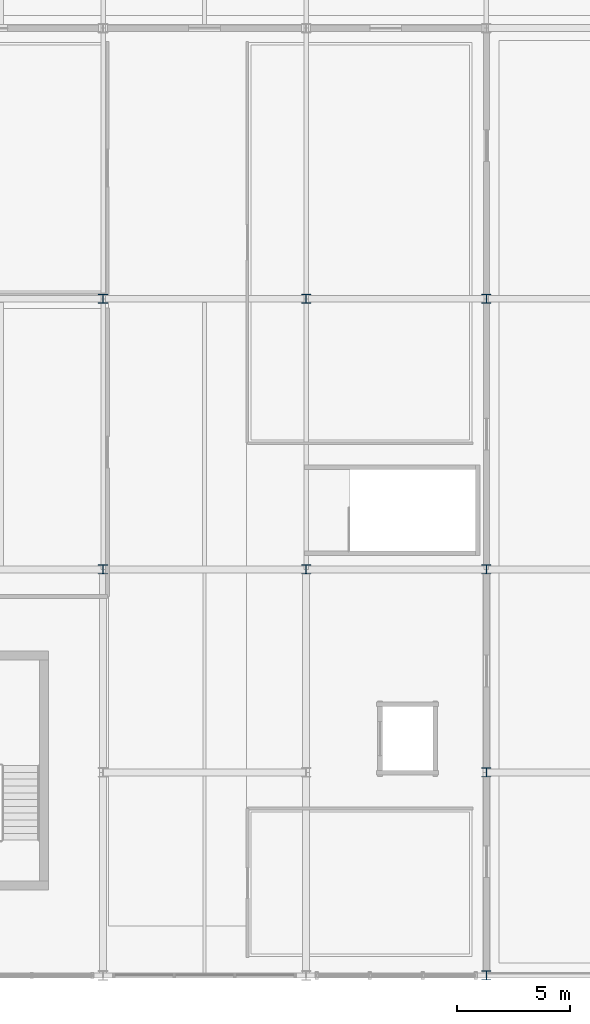
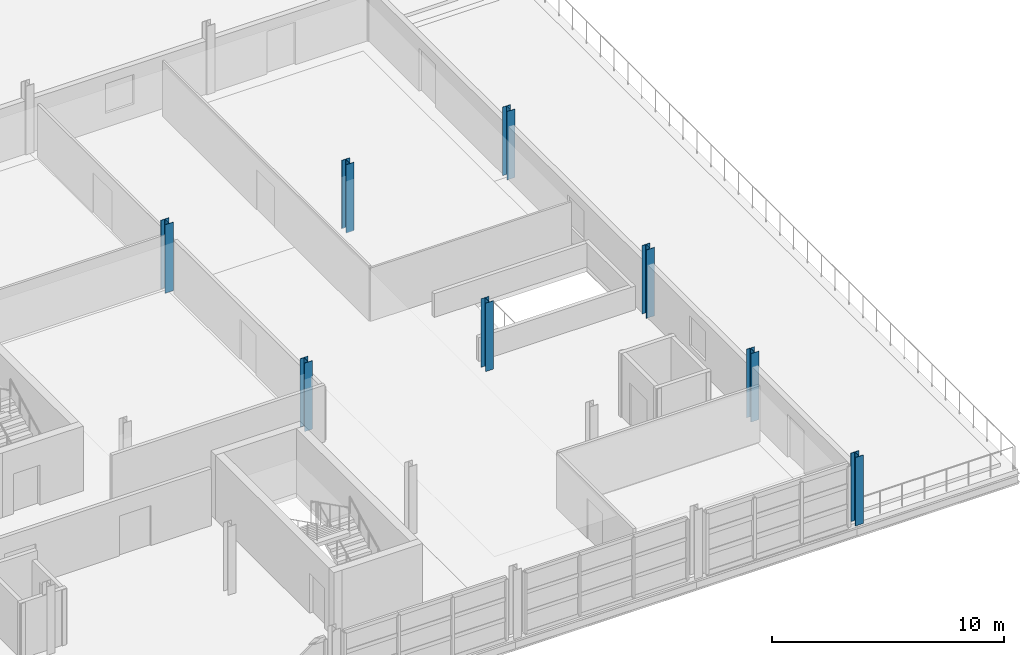
# One storey, part 13 of 116: 8 columns.
"""IFC4 building model written with IfcOpenShell, lengths in metres."""

from ifc_helpers import new_model, si_unit, direction, frame, origin, origin_2d, place, context, subcontext, project, spatial, i_section, extrude, material, material_profile, profile_set, type_object, element, save


model = new_model("IFC4")

# Units and contexts
model_context = context("Model", 3, precision=1e-05, world=origin(), true_north=direction((0.0, 1.0)))
body_context = subcontext(model_context, "Body", "Model", "MODEL_VIEW")
ifc_project = project(units=[si_unit("LENGTHUNIT", "METRE"), si_unit("AREAUNIT", "SQUARE_METRE"), si_unit("VOLUMEUNIT", "CUBIC_METRE"), si_unit("PLANEANGLEUNIT", "RADIAN"), si_unit("MASSUNIT", "GRAM", prefix="KILO")], contexts=[model_context])

# Site, building, storey
site_placement = place(None, origin())
site = spatial("IfcSite", under=ifc_project, at=site_placement, CompositionType="ELEMENT")
building_placement = place(site_placement, origin())
building = spatial("IfcBuilding", under=site, at=building_placement, Name="Chuanluo Vaults Station", CompositionType="ELEMENT")
storey_placement = place(building_placement, frame((0.0, 0.0, 10.800048828125)))
storey = spatial("IfcBuildingStorey", under=building, at=storey_placement, Name="L02", CompositionType="ELEMENT", Elevation=10.800048828125)

# Columns
ifc_material = material(Name="Steel Q355C", Category="steel")
ifc_material_profile = material_profile(ifc_material, i_section(OverallWidth=0.39990234375, OverallDepth=0.39990234375, WebThickness=0.012939453125, FlangeThickness=0.02099609375, FilletRadius=0.02197265625, at=origin_2d()))
ifc_profile_set = profile_set([ifc_material_profile], Name="Steel Q355C")
column_type = type_object("IfcColumnType", Name="COL-STL-HW400", PredefinedType="COLUMN", material=ifc_profile_set)
for number, where, z_axis, x_axis, name in (
    (1, (163.0, 18.0, 0.0), (0.0, 0.0, 1.0), (1.0, 0.0, 0.0), "Column L02-125"),
    (2, (163.0, 30.0, 0.0), (0.0, 0.0, 1.0), (1.0, 0.0, 0.0), "Column L02-126"),
    (3, (172.0, 18.0, 0.0), (0.0, 0.0, 1.0), (1.0, 0.0, 0.0), "Column L02-138"),
    (4, (172.0, 30.0, 0.0), (0.0, 0.0, 1.0), (1.0, 0.0, 0.0), "Column L02-139"),
    (5, (180.0, 0.0, 0.0), (0.0, 0.0, 1.0), (1.0, 0.0, 0.0), "Column L02-149"),
    (6, (180.0, 9.0, 0.0), (0.0, 0.0, 1.0), (1.0, 0.0, 0.0), "Column L02-150"),
    (7, (180.0, 18.0, 0.0), (0.0, 0.0, 1.0), (1.0, 0.0, 0.0), "Column L02-151"),
    (8, (180.0, 30.0, 0.0), (0.0, 0.0, 1.0), (1.0, 0.0, 0.0), "Column L02-152"),
):
    element("IfcColumn", number, at=place(storey_placement, frame(where, z_axis=z_axis, x_axis=x_axis)), inside=storey, type_object=column_type, Name=name, PredefinedType="COLUMN", context=body_context, shape_type="SweptSolid", body=[
        extrude(i_section(OverallWidth=0.39990234375, OverallDepth=0.39990234375, WebThickness=0.012939453125, FlangeThickness=0.02099609375, FilletRadius=0.02197265625, at=origin_2d()), origin(), (0.0, 0.0, 1.0), 3.599853515625),
    ])

save(model, "model.ifc")
